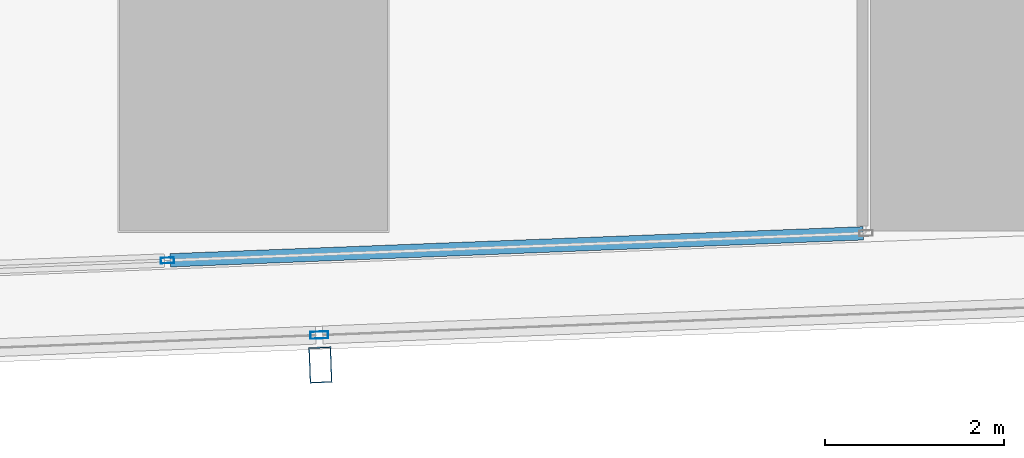
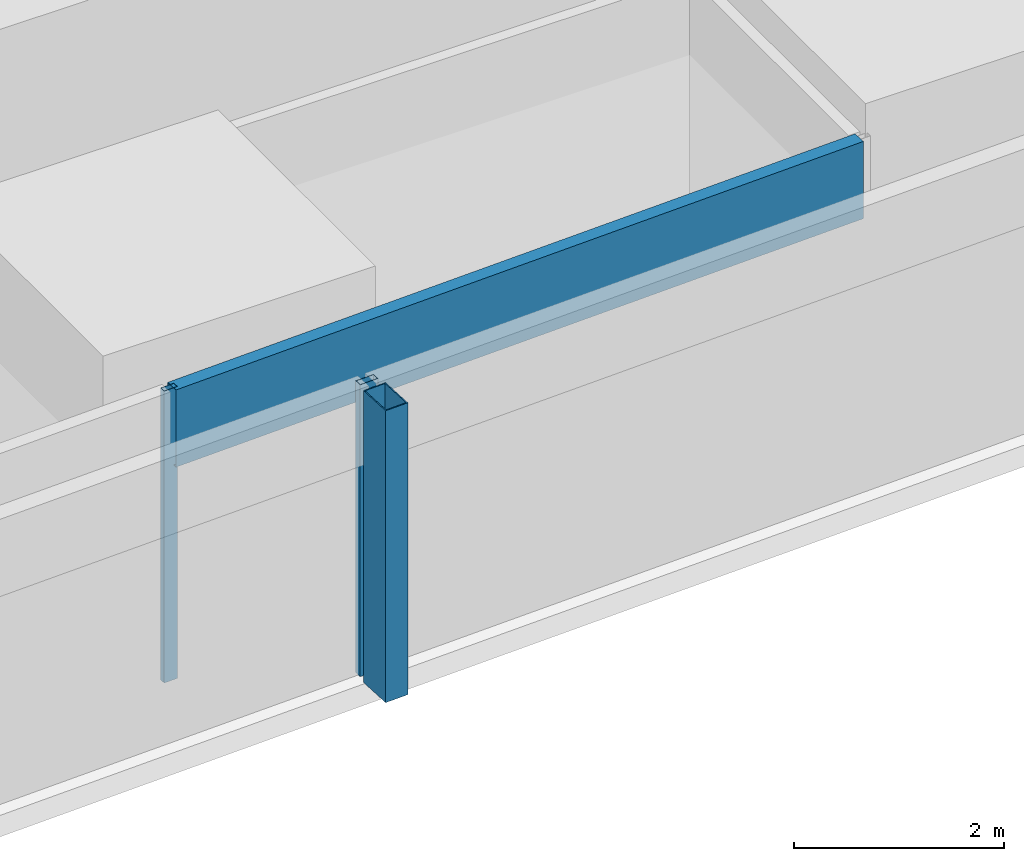
# One storey, part 9 of 38: 4 members, 2 elements without a shape of their own.
"""IFC4 building model written with IfcOpenShell, lengths in metres."""

import ifcopenshell
import ifcopenshell.guid

model = None  # the IFC model being written
_history = None  # IfcOwnerHistory: only IFC2X3 demands one
_inside = {}  # id of a spatial element -> (the spatial element, [elements in it])
_under = {}  # id of a project, library or spatial element -> (it, [spatial elements below it])
_declared = {}  # id of a project -> (the project, [libraries it declares])
_typed = {}  # id of a type object -> (the type object, [elements of that type])
_made_of = {}  # id of a material, layer set ... -> (it, [elements and type objects made of it])


def new_model(schema):
    """Start an empty IFC model of exactly this schema.

    Asked for "IFC4X3", IfcOpenShell would pick the latest addendum, in which some entities
    have other attributes; the version numbers below select the first issue.
    IFC2X3 requires an IfcOwnerHistory on every rooted entity: one is made here for all.
    """
    global model, _history
    if schema == "IFC4X3":
        model = ifcopenshell.file(schema_version=(4, 3, 0, 0))
    else:
        model = ifcopenshell.file(schema=schema)
    _inside.clear()
    _under.clear()
    _declared.clear()
    _typed.clear()
    _made_of.clear()
    _history = None
    if model.schema == "IFC2X3":
        org = make("IfcOrganization", Name="unknown")
        user = make(
            "IfcPersonAndOrganization",
            ThePerson=make("IfcPerson", FamilyName="unknown"),
            TheOrganization=org,
        )
        app = make(
            "IfcApplication",
            ApplicationDeveloper=org,
            Version="unknown",
            ApplicationFullName="unknown",
            ApplicationIdentifier="unknown",
        )
        _history = make(
            "IfcOwnerHistory",
            OwningUser=user,
            OwningApplication=app,
            ChangeAction="ADDED",
            CreationDate=0,
        )
    return model


def make(cls, **values):
    """One entity of the class cls with the attributes given. An attribute that is None is left unset."""
    return model.create_entity(
        cls, **{name: value for name, value in values.items() if value is not None}
    )


def rooted(cls, **values):
    """An entity with a GlobalId (a new one), such as an element, a storey or a relation."""
    return make(cls, GlobalId=ifcopenshell.guid.new(), OwnerHistory=_history, **values)


def si_unit(unit_type, name, prefix=None):
    """IfcSIUnit, for example si_unit("LENGTHUNIT", "METRE", prefix="MILLI")."""
    return make("IfcSIUnit", UnitType=unit_type, Prefix=prefix, Name=name)


def assignment(units):
    """IfcUnitAssignment: the units of a project."""
    return None if units is None else make("IfcUnitAssignment", Units=units)


def point(xyz):
    """IfcCartesianPoint."""
    return None if xyz is None else make("IfcCartesianPoint", Coordinates=xyz)


def direction(xyz):
    """IfcDirection."""
    return None if xyz is None else make("IfcDirection", DirectionRatios=xyz)


def frame(location, z_axis=None, x_axis=None):
    """IfcAxis2Placement3D, a coordinate frame: its origin and axes. An axis left out is left unset."""
    return make(
        "IfcAxis2Placement3D",
        Location=point(location),
        Axis=direction(z_axis),
        RefDirection=direction(x_axis),
    )


def frame_2d(location, x_axis=None):
    """IfcAxis2Placement2D, a coordinate frame in the plane: its origin and x axis."""
    return make(
        "IfcAxis2Placement2D", Location=point(location), RefDirection=direction(x_axis)
    )


def origin():
    """The frame at (0, 0, 0) with its axes left unset."""
    return frame((0.0, 0.0, 0.0))


def origin_2d():
    """The frame at (0, 0) in the plane with its x axis left unset."""
    return frame_2d((0.0, 0.0))


def place(relative_to, where):
    """IfcLocalPlacement: puts the frame where relative to a parent placement (None: the world)."""
    return make(
        "IfcLocalPlacement", PlacementRelTo=relative_to, RelativePlacement=where
    )


def context(
    kind, dimensions, precision=None, world=None, true_north=None, identifier=None
):
    """IfcGeometricRepresentationContext, for example the 3D "Model" context."""
    return make(
        "IfcGeometricRepresentationContext",
        ContextIdentifier=identifier,
        ContextType=kind,
        CoordinateSpaceDimension=dimensions,
        Precision=precision,
        WorldCoordinateSystem=world,
        TrueNorth=true_north,
    )


def subcontext(parent, identifier, kind, view, scale=None):
    """IfcGeometricRepresentationSubContext, for example "Body" below "Model"."""
    return make(
        "IfcGeometricRepresentationSubContext",
        ContextIdentifier=identifier,
        ContextType=kind,
        ParentContext=parent,
        TargetScale=scale,
        TargetView=view,
    )


def project(units=None, contexts=None):
    """IfcProject with its units and contexts."""
    return rooted(
        "IfcProject",
        Name="project",
        RepresentationContexts=contexts,
        UnitsInContext=assignment(units),
    )


def spatial(cls, under=None, at=None, **own):
    """A site, building, storey or space (cls), placed at a placement, below another one or the project."""
    s = rooted(cls, ObjectPlacement=at, **own)
    if under is not None:
        _under.setdefault(under.id(), (under, []))[1].append(s)
    return s


def profile(cls, at=None, kind="AREA", **sizes):
    """A parametric profile (cls). Its sizes go by their IFC names, for example OverallWidth=200.0."""
    return make(cls, ProfileType=kind, Position=at, **sizes)


def hollow_rectangle(**sizes):
    """IfcRectangleHollowProfileDef."""
    return profile("IfcRectangleHollowProfileDef", **sizes)


def extrude(swept, where, along, depth):
    """IfcExtrudedAreaSolid: the profile swept, set in the frame where, extruded along a direction by depth."""
    return make(
        "IfcExtrudedAreaSolid",
        SweptArea=swept,
        Position=where,
        ExtrudedDirection=direction(along),
        Depth=depth,
    )


def shape(context_of_items, identifier, shape_type, items):
    """IfcShapeRepresentation: the items that make up one representation, for example the "Body"."""
    return make(
        "IfcShapeRepresentation",
        ContextOfItems=context_of_items,
        RepresentationIdentifier=identifier,
        RepresentationType=shape_type,
        Items=items,
    )


def material(Name=None, Category=None):
    """IfcMaterial."""
    return make("IfcMaterial", Name=Name, Category=Category)


def material_profile(
    of_material, cross_section, Name=None, Category=None, Priority=None
):
    """IfcMaterialProfile: a cross section and its material."""
    return make(
        "IfcMaterialProfile",
        Name=Name,
        Material=of_material,
        Profile=cross_section,
        Priority=Priority,
        Category=Category,
    )


def profile_set(profiles, Name=None, composite=None):
    """IfcMaterialProfileSet."""
    return make(
        "IfcMaterialProfileSet",
        Name=Name,
        MaterialProfiles=profiles,
        CompositeProfile=composite,
    )


def made_of(thing, what):
    """Note that an element or type object is made of a material, layer set ...; save() writes the relation."""
    if what is not None:
        _made_of.setdefault(what.id(), (what, []))[1].append(thing)
    return thing


def type_object(cls, material=None, **own):
    """A type object (cls), such as IfcWallType, which elements share."""
    return made_of(rooted(cls, **own), material)


def element(
    cls,
    number,
    at=None,
    inside=None,
    cuts=None,
    type_object=None,
    material=None,
    context=None,
    identifier="Body",
    shape_type=None,
    held_by="IfcProductDefinitionShape",
    body=None,
    shapes=None,
    **own,
):
    """One element of the class cls, such as IfcWall. Its Tag is "e" and its number.

    at: its placement. inside: the storey or other place that contains it. cuts: it is an
    opening in that element (IfcRelVoidsElement). A single representation is given by context,
    identifier, shape_type and body (its items); several are given by shapes. held_by: the class
    of the entity that holds the representations. save() writes the other relations.
    """
    e = rooted(cls, Tag="e%d" % number, ObjectPlacement=at, **own)
    if body is not None:
        shapes = [shape(context, identifier, shape_type, body)]
    if shapes is not None:
        e.Representation = make(held_by, Representations=shapes)
    if inside is not None:
        _inside.setdefault(inside.id(), (inside, []))[1].append(e)
    if cuts is not None:
        rooted(
            "IfcRelVoidsElement", RelatingBuildingElement=cuts, RelatedOpeningElement=e
        )
    if type_object is not None:
        _typed.setdefault(type_object.id(), (type_object, []))[1].append(e)
    return made_of(e, material)


def aggregate(whole, parts):
    """IfcRelAggregates: a whole, such as a stair, and the parts it consists of."""
    return rooted("IfcRelAggregates", RelatingObject=whole, RelatedObjects=parts)


def save(model, path):
    """Write the relations noted so far, then the file.

    IfcRelAggregates (storeys below a building ...), IfcRelContainedInSpatialStructure (elements
    in a storey), IfcRelDefinesByType, IfcRelAssociatesMaterial and IfcRelDeclares: one each for
    every whole, place, type object, material and project.
    """
    for whole, parts in _under.values():
        aggregate(whole, parts)
    for where, things in _inside.values():
        rooted(
            "IfcRelContainedInSpatialStructure",
            RelatedElements=things,
            RelatingStructure=where,
        )
    for kind, things in _typed.values():
        rooted("IfcRelDefinesByType", RelatedObjects=things, RelatingType=kind)
    for what, things in _made_of.values():
        rooted("IfcRelAssociatesMaterial", RelatedObjects=things, RelatingMaterial=what)
    for by, libraries in _declared.values():
        rooted("IfcRelDeclares", RelatingContext=by, RelatedDefinitions=libraries)
    model.write(path)


model = new_model("IFC4")

# Units and contexts
model_context = context("Model", 3, precision=1e-05, world=origin(), true_north=direction((0.0, 1.0)))
body_context = subcontext(model_context, "Body", "Model", "MODEL_VIEW")
ifc_project = project(units=[si_unit("LENGTHUNIT", "METRE"), si_unit("AREAUNIT", "SQUARE_METRE"), si_unit("VOLUMEUNIT", "CUBIC_METRE"), si_unit("PLANEANGLEUNIT", "RADIAN"), si_unit("MASSUNIT", "GRAM", prefix="KILO")], contexts=[model_context])

# Site, building, storey
site_placement = place(None, origin())
site = spatial("IfcSite", under=ifc_project, at=site_placement, CompositionType="ELEMENT")
building_placement = place(site_placement, origin())
building = spatial("IfcBuilding", under=site, at=building_placement, Name="Rekha Terrace Tower", CompositionType="ELEMENT")
storey_placement = place(building_placement, frame((0.0, 0.0, 159.050048828125)))
storey = spatial("IfcBuildingStorey", under=building, at=storey_placement, Name="L40", CompositionType="ELEMENT", Elevation=159.050048828125)

# Curtain wall, member
ifc_material_1 = material(Name="Aluminium framing", Category="aluminium")
curtain_wall_type_1 = type_object("IfcCurtainWallType", Name="CW2 double skin outer glazing", PredefinedType="USERDEFINED", material=ifc_material_1)
curtain_wall_1_placement = place(storey_placement, origin())
curtain_wall_1 = element("IfcCurtainWall", 1, at=curtain_wall_1_placement, inside=storey, type_object=curtain_wall_type_1, Name="CW2 double skin outer glazing", ObjectType="DOUBLE SKIN OUTER GLAZING", PredefinedType="USERDEFINED")
ifc_material_2 = material(Name="Steel S355 with fluorocarbon finish", Category="steel")
ifc_material_profile_1 = material_profile(ifc_material_2, hollow_rectangle(XDim=0.25, YDim=0.39990234375, WallThickness=0.012451171875, at=origin_2d()), Name="RHS400x250x12.5")
ifc_profile_set_1 = profile_set([ifc_material_profile_1], Name="Steel S355 with fluorocarbon finish")
member_type_1 = type_object("IfcMemberType", Name="BL1 facade blade RHS 400 x 250", PredefinedType="USERDEFINED", material=ifc_profile_set_1)
member_1_placement = place(storey_placement, frame((42.747314453125, 13.802978515625, 0.0), z_axis=(0.0, 0.0, 1.0), x_axis=(0.999243494356, 0.038890088543, 0.0)))
member_1 = element("IfcMember", 2, at=member_1_placement, type_object=member_type_1, Name="Facade blade", ObjectType="FACADE BLADE", PredefinedType="USERDEFINED", context=body_context, shape_type="SweptSolid", body=[
    extrude(hollow_rectangle(XDim=0.25, YDim=0.39990234375, WallThickness=0.012451171875, at=origin_2d()), origin(), (0.0, 0.0, 1.0), 3.39990234375),
])

# Curtain wall, members
curtain_wall_type_2 = type_object("IfcCurtainWallType", Name="CW1 double skin inner glazing", PredefinedType="USERDEFINED", material=ifc_material_1)
curtain_wall_2_placement = place(storey_placement, origin())
curtain_wall_2 = element("IfcCurtainWall", 3, at=curtain_wall_2_placement, inside=storey, type_object=curtain_wall_type_2, Name="CW1 double skin inner glazing", ObjectType="DOUBLE SKIN INNER GLAZING", PredefinedType="USERDEFINED")
ifc_material_3 = material(Name="Aluminium mullion section", Category="aluminium")
ifc_material_profile_2 = material_profile(ifc_material_3, hollow_rectangle(XDim=0.06494140625, YDim=0.14990234375, WallThickness=0.00390625, at=origin_2d()), Name="AL RHS 65x150")
ifc_profile_set_2 = profile_set([ifc_material_profile_2], Name="Aluminium mullion section")
member_type_2 = type_object("IfcMemberType", Name="CW1 mullion RHS 65 x 150", PredefinedType="MULLION", material=ifc_profile_set_2)
member_2_placement = place(storey_placement, frame((41.036376953125, 14.972412109375, 0.0), z_axis=(0.0, 0.0, 1.0), x_axis=(-0.038889971345, 0.999243498917, 0.0)))
member_2 = element("IfcMember", 4, at=member_2_placement, type_object=member_type_2, Name="CW1 mullion 3", PredefinedType="MULLION", context=body_context, shape_type="SweptSolid", body=[
    extrude(hollow_rectangle(XDim=0.06494140625, YDim=0.14990234375, WallThickness=0.00390625, at=origin_2d()), origin(), (0.0, 0.0, 1.0), 3.39990234375),
])
ifc_material_4 = material(Name="Insulated aluminium spandrel box", Category="aluminium")
ifc_material_profile_3 = material_profile(ifc_material_4, hollow_rectangle(XDim=0.14990234375, YDim=0.89990234375, WallThickness=0.0029296875, at=origin_2d()), Name="AL SPANDREL BOX 150x900")
ifc_profile_set_3 = profile_set([ifc_material_profile_3], Name="Insulated aluminium spandrel box")
member_type_3 = type_object("IfcMemberType", Name="CW1 spandrel transom 150 x 900", PredefinedType="USERDEFINED", material=ifc_profile_set_3)
member_3_placement = place(storey_placement, frame((41.06884765625, 14.9736328125, 2.949951171875), z_axis=(0.999243487711, 0.038890259275, 0.0), x_axis=(-0.038890259275, 0.999243487711, 0.0)))
member_3 = element("IfcMember", 5, at=member_3_placement, type_object=member_type_3, Name="CW1 spandrel transom 3", ObjectType="TRANSOM", PredefinedType="USERDEFINED", context=body_context, shape_type="SweptSolid", body=[
    extrude(hollow_rectangle(XDim=0.14990234375, YDim=0.89990234375, WallThickness=0.0029296875, at=origin_2d()), origin(), (0.0, 0.0, 1.0), 7.7529296875),
])
aggregate(curtain_wall_2, [member_2, member_3])

# Member
ifc_material_profile_4 = material_profile(ifc_material_3, hollow_rectangle(XDim=0.080078125, YDim=0.199951171875, WallThickness=0.00390625, at=origin_2d()), Name="AL RHS 80x200")
ifc_profile_set_4 = profile_set([ifc_material_profile_4], Name="Aluminium mullion section")
member_type_4 = type_object("IfcMemberType", Name="CW2 mullion RHS 80 x 200", PredefinedType="MULLION", material=ifc_profile_set_4)
member_4_placement = place(storey_placement, frame((42.734130859375, 14.137939453125, 0.0), z_axis=(0.0, 0.0, 1.0), x_axis=(-0.038889971345, 0.999243498917, 0.0)))
member_4 = element("IfcMember", 6, at=member_4_placement, type_object=member_type_4, Name="CW2 mullion 3", PredefinedType="MULLION", context=body_context, shape_type="SweptSolid", body=[
    extrude(hollow_rectangle(XDim=0.080078125, YDim=0.199951171875, WallThickness=0.00390625, at=origin_2d()), origin(), (0.0, 0.0, 1.0), 3.39990234375),
])

aggregate(curtain_wall_1, [member_4, member_1])

save(model, "model.ifc")
